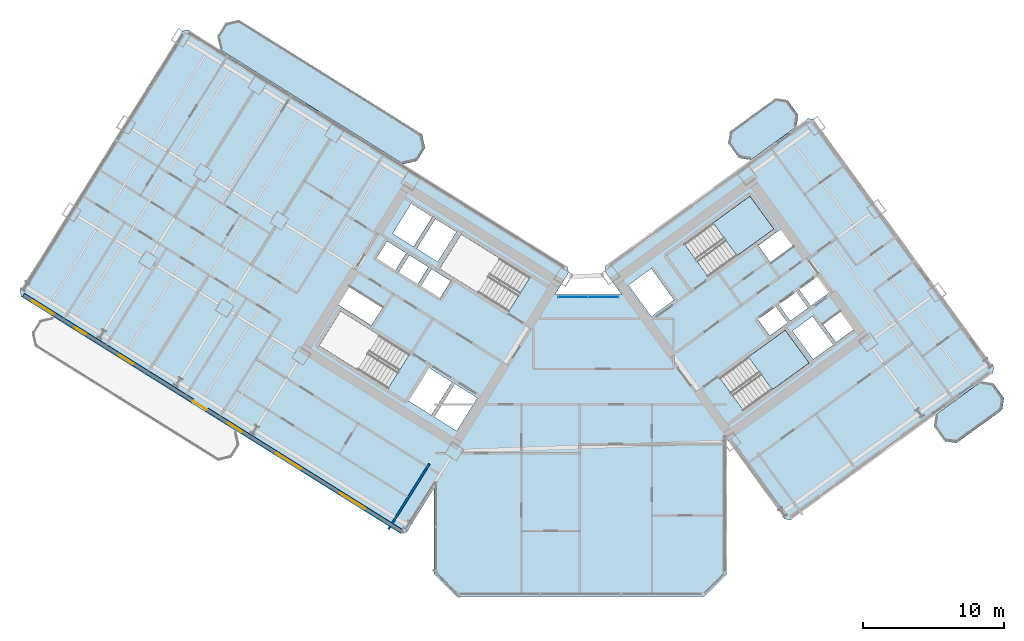
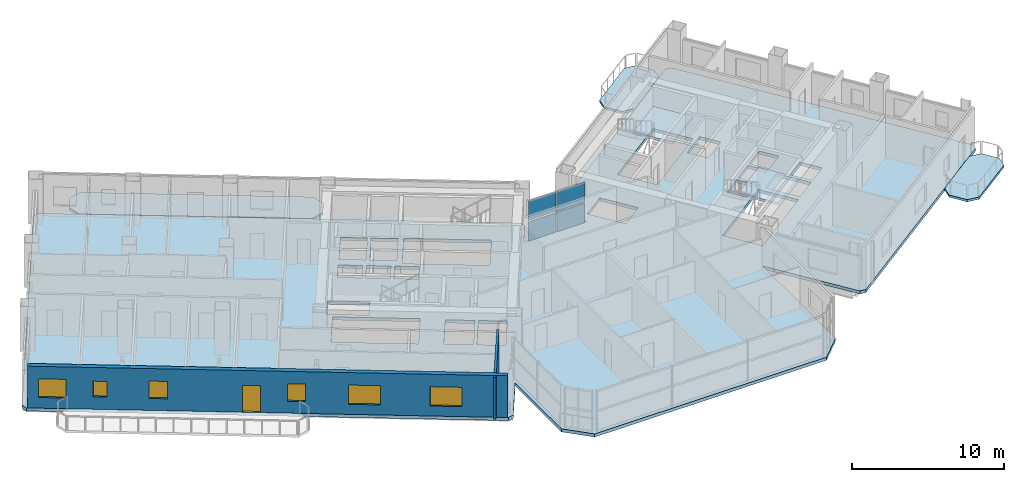
# One storey, part 14 of 28: 6 slabs, 6 windows, 4 plates, 2 walls, 1 door, 7 openings, 3 elements without a shape of their own.
"""IFC4 building model written with IfcOpenShell, lengths in metres."""

from ifc_helpers import new_model, si_unit, direction, frame, frame_2d, origin, origin_2d, place, context, subcontext, project, spatial, polyline, rectangle, outline, extrude, source, transform, mapped, material, layer, layer_set, type_object, element, fill, aggregate, save


model = new_model("IFC4")

# Units and contexts
model_context = context("Model", 3, precision=1e-05, world=origin(), true_north=direction((0.0, 1.0)))
body_context = subcontext(model_context, "Body", "Model", "MODEL_VIEW")
ifc_project = project(units=[si_unit("LENGTHUNIT", "METRE"), si_unit("AREAUNIT", "SQUARE_METRE"), si_unit("VOLUMEUNIT", "CUBIC_METRE"), si_unit("PLANEANGLEUNIT", "RADIAN"), si_unit("MASSUNIT", "GRAM", prefix="KILO")], contexts=[model_context])

# Site, building, storey
site_placement = place(None, origin())
site = spatial("IfcSite", under=ifc_project, at=site_placement, CompositionType="ELEMENT")
building_placement = place(site_placement, origin())
building = spatial("IfcBuilding", under=site, at=building_placement, Name="Tlacorven Tower", CompositionType="ELEMENT")
storey_placement = place(building_placement, frame((0.0, 0.0, 56.39990234375)))
storey = spatial("IfcBuildingStorey", under=building, at=storey_placement, Name="L14", CompositionType="ELEMENT", Elevation=56.39990234375)

# Slabs
ifc_material_1 = material(Name="Precast concrete C45/55", Category="concrete")
ifc_layer_1 = layer(ifc_material_1, 0.179931640625)
ifc_layer_set_1 = layer_set([ifc_layer_1], Name="Precast concrete C45/55")
slab_type_1 = type_object("IfcSlabType", Name="SL-BAL-180", PredefinedType="USERDEFINED", material=ifc_layer_set_1)
slab_1_placement = place(storey_placement, frame((0.0, 0.0, -0.179931640625)))
element("IfcSlab", 1, at=slab_1_placement, inside=storey, type_object=slab_type_1, Name="L14 West Wing Balcony Ribbon IN", ObjectType="BALCONY SLAB", PredefinedType="USERDEFINED", context=body_context, shape_type="SweptSolid", body=[
    extrude(outline(polyline([(30.756591796875, 34.57763671875), (17.781494140625, 42.685546875), (16.81689453125, 42.462890625), (16.236572265625, 41.5341796875), (16.459228515625, 40.569580078125), (29.434326171875, 32.4619140625), (30.39892578125, 32.6845703125), (30.979248046875, 33.613037109375), (30.756591796875, 34.57763671875)])), origin(), (0.0, 0.0, 1.0), 0.179931640625),
])
slab_2_placement = place(storey_placement, frame((0.0, 0.0, -0.179931640625)))
element("IfcSlab", 2, at=slab_2_placement, inside=storey, type_object=slab_type_1, Name="L14 East Wing Balcony Ribbon OUT", ObjectType="BALCONY SLAB", PredefinedType="USERDEFINED", context=body_context, shape_type="SweptSolid", body=[
    extrude(outline(polyline([(68.669921875, 12.678955078125), (71.906005859375, 15.0302734375), (72.03857421875, 15.8681640625), (71.27734375, 16.916015625), (70.439453125, 17.048583984375), (67.203369140625, 14.697509765625), (67.070556640625, 13.859375), (67.831787109375, 12.811767578125), (68.669921875, 12.678955078125)])), origin(), (0.0, 0.0, 1.0), 0.179931640625),
])
slab_3_placement = place(storey_placement, frame((0.0, 0.0, -0.179931640625)))
element("IfcSlab", 3, at=slab_3_placement, inside=storey, type_object=slab_type_1, Name="L14 East Wing Balcony Ribbon IN", ObjectType="BALCONY SLAB", PredefinedType="USERDEFINED", context=body_context, shape_type="SweptSolid", body=[
    extrude(outline(polyline([(54.078125, 32.762939453125), (57.314208984375, 35.114013671875), (57.44677734375, 35.9521484375), (56.685791015625, 36.999755859375), (55.84765625, 37.132568359375), (52.611572265625, 34.78125), (52.478759765625, 33.943359375), (53.239990234375, 32.8955078125), (54.078125, 32.762939453125)])), origin(), (0.0, 0.0, 1.0), 0.179931640625),
])

# Stair, slab
ifc_material_2 = material(Name="Concrete C40/50", Category="concrete")
stair_type = type_object("IfcStairType", Name="ST-CORE-DLG", PredefinedType="HALF_TURN_STAIR", material=ifc_material_2)
stair_1_placement = place(storey_placement, origin())
stair_1 = element("IfcStair", 4, at=stair_1_placement, inside=storey, type_object=stair_type, Name="L14 Protected Exit Stair East 1", PredefinedType="HALF_TURN_STAIR")
ifc_layer_2 = layer(ifc_material_2, 0.199951171875)
ifc_layer_set_2 = layer_set([ifc_layer_2], Name="Concrete C40/50")
slab_type_2 = type_object("IfcSlabType", Name="SL-LND-200", PredefinedType="LANDING", material=ifc_layer_set_2)
slab_4_placement = place(storey_placement, frame((0.0, 0.0, 1.60009765625)))
slab_4 = element("IfcSlab", 5, at=slab_4_placement, type_object=slab_type_2, Name="ST-E1 landing 1", PredefinedType="LANDING", context=body_context, shape_type="SweptSolid", body=[
    extrude(outline(polyline([(53.09765625, 25.962890625), (55.7109375, 27.861572265625), (54.01806640625, 30.19140625), (51.40478515625, 28.29296875), (53.09765625, 25.962890625)])), origin(), (0.0, 0.0, 1.0), 0.199951171875),
])
aggregate(stair_1, [slab_4])

stair_2_placement = place(storey_placement, origin())
stair_2 = element("IfcStair", 6, at=stair_2_placement, inside=storey, type_object=stair_type, Name="L14 Protected Exit Stair East 2", PredefinedType="HALF_TURN_STAIR")
slab_5_placement = place(storey_placement, frame((0.0, 0.0, 1.60009765625)))
slab_5 = element("IfcSlab", 7, at=slab_5_placement, type_object=slab_type_2, Name="ST-E2 landing 1", PredefinedType="LANDING", context=body_context, shape_type="SweptSolid", body=[
    extrude(outline(polyline([(55.601806640625, 16.4599609375), (58.21484375, 18.3583984375), (56.52197265625, 20.6884765625), (53.908935546875, 18.789794921875), (55.601806640625, 16.4599609375)])), origin(), (0.0, 0.0, 1.0), 0.199951171875),
])
aggregate(stair_2, [slab_5])

# Slab
ifc_layer_3 = layer(ifc_material_2, 0.25)
ifc_layer_set_3 = layer_set([ifc_layer_3], Name="Concrete C40/50")
slab_type_3 = type_object("IfcSlabType", Name="SL-TWR-250", PredefinedType="FLOOR", material=ifc_layer_set_3)
slab_6_placement = place(storey_placement, frame((0.0, 0.0, -0.25)))
element("IfcSlab", 8, at=slab_6_placement, inside=storey, type_object=slab_type_3, Name="L14 Boomerang Tower Floor Slab", PredefinedType="FLOOR", context=body_context, shape_type="SweptSolid", body=[
    extrude(outline(polyline([(52.39990234375, 3.39990234375), (50.800048828125, 1.800048828125), (33.199951171875, 1.800048828125), (31.60009765625, 3.39990234375), (31.60009765625, 9.470703125), (29.652587890625, 6.35400390625), (29.2392578125, 6.258544921875), (2.339111328125, 23.067626953125), (2.24365234375, 23.481201171875), (13.75341796875, 41.900634765625), (14.1669921875, 41.99609375), (41.06689453125, 25.18701171875), (41.162353515625, 24.773681640625), (40.178955078125, 23.199951171875), (44.932373046875, 23.199951171875), (43.723876953125, 24.86328125), (43.790283203125, 25.2822265625), (58.1259765625, 35.69775390625), (58.545166015625, 35.63134765625), (71.311767578125, 18.0595703125), (71.245361328125, 17.640380859375), (56.90966796875, 7.224853515625), (56.49072265625, 7.291259765625), (52.39990234375, 12.921630859375), (52.39990234375, 3.39990234375)]), holes=[polyline([(29.865478515625, 18.979736328125), (24.9892578125, 22.02685546875), (23.463134765625, 19.58447265625), (28.33935546875, 16.537353515625), (29.865478515625, 18.979736328125)]), polyline([(38.4169921875, 24.4375), (33.540771484375, 27.484375), (32.0146484375, 25.0419921875), (36.890869140625, 21.9951171875), (38.4169921875, 24.4375)]), polyline([(51.05908203125, 24.481689453125), (55.7109375, 27.861572265625), (54.01806640625, 30.19140625), (49.3662109375, 26.811767578125), (51.05908203125, 24.481689453125)]), polyline([(53.56298828125, 14.978759765625), (58.21484375, 18.3583984375), (56.52197265625, 20.6884765625), (51.8701171875, 17.30859375), (53.56298828125, 14.978759765625)]), polyline([(34.682373046875, 15.87548828125), (33.088134765625, 16.871826171875), (31.62548828125, 14.531005859375), (33.2197265625, 13.534912109375), (34.682373046875, 15.87548828125)]), polyline([(32.884521484375, 16.9990234375), (31.2392578125, 18.02685546875), (29.77685546875, 15.686279296875), (31.421875, 14.658203125), (32.884521484375, 16.9990234375)]), polyline([(47.0234375, 21.648681640625), (48.6416015625, 22.82421875), (47.019287109375, 25.05712890625), (45.401123046875, 23.881591796875), (47.0234375, 21.648681640625)]), polyline([(33.197265625, 27.65185546875), (31.704833984375, 28.58447265625), (30.3798828125, 26.46435546875), (31.87255859375, 25.53173828125), (33.197265625, 27.65185546875)]), polyline([(31.484375, 28.722412109375), (29.99169921875, 29.655029296875), (28.6669921875, 27.534912109375), (30.159423828125, 26.602294921875), (31.484375, 28.722412109375)]), polyline([(32.794921875, 24.17724609375), (31.43798828125, 25.025146484375), (30.685546875, 23.82080078125), (32.042236328125, 22.972900390625), (32.794921875, 24.17724609375)]), polyline([(31.217529296875, 25.162841796875), (29.860595703125, 26.0107421875), (29.108154296875, 24.806396484375), (30.465087890625, 23.958740234375), (31.217529296875, 25.162841796875)]), polyline([(29.64013671875, 26.1484375), (28.283203125, 26.996337890625), (27.53076171875, 25.792236328125), (28.8876953125, 24.9443359375), (29.64013671875, 26.1484375)]), polyline([(55.427734375, 20.288818359375), (56.68994140625, 21.205810546875), (55.855224609375, 22.354736328125), (54.59326171875, 21.437744140625), (55.427734375, 20.288818359375)]), polyline([(56.884033203125, 21.346923828125), (58.146240234375, 22.263916015625), (57.3115234375, 23.41259765625), (56.04931640625, 22.495849609375), (56.884033203125, 21.346923828125)]), polyline([(58.34033203125, 22.405029296875), (59.602294921875, 23.322021484375), (58.767578125, 24.470703125), (57.505615234375, 23.5537109375), (58.34033203125, 22.405029296875)]), polyline([(58.498779296875, 18.614013671875), (59.922607421875, 19.648681640625), (58.453125, 21.671142578125), (57.029296875, 20.63671875), (58.498779296875, 18.614013671875)]), polyline([(27.96142578125, 22.2919921875), (25.603759765625, 23.76513671875), (24.80908203125, 22.4931640625), (27.16650390625, 21.02001953125), (27.96142578125, 22.2919921875)]), polyline([(55.490478515625, 25.4765625), (57.092529296875, 26.640380859375), (56.210693359375, 27.85400390625), (54.60888671875, 26.690185546875), (55.490478515625, 25.4765625)]), polyline([(60.12109375, 19.817626953125), (61.38330078125, 20.734619140625), (60.45458984375, 22.012939453125), (59.192626953125, 21.095947265625), (60.12109375, 19.817626953125)])]), origin(), (0.0, 0.0, 1.0), 0.25),
])

# Curtain wall, plates
ifc_material_3 = material(Name="Dark solar low-E double glazing in aluminium frame", Category="aluminium")
curtain_wall_type = type_object("IfcCurtainWallType", Name="CW-TWR-LOW", PredefinedType="USERDEFINED", material=ifc_material_3)
curtain_wall_placement = place(storey_placement, origin())
curtain_wall = element("IfcCurtainWall", 9, at=curtain_wall_placement, inside=storey, type_object=curtain_wall_type, Name="L14 CW-TWR-LOW Curtain Wall 80", ObjectType="UNITISED CURTAIN WALL", PredefinedType="USERDEFINED")
ifc_material_4 = material(Name="Dark solar double low-E glazing", Category="glass")
ifc_layer_4 = layer(ifc_material_4, 0.031982421875)
ifc_layer_set_4 = layer_set([ifc_layer_4], Name="Dark solar double low-E glazing")
plate_type = type_object("IfcPlateType", Name="CWP-02", PredefinedType="CURTAIN_PANEL", material=ifc_layer_set_4)
shared_shape_1 = source(origin(), body_context, "Body", "SweptSolid", [
    extrude(rectangle(XDim=2.110595703125, YDim=0.031982421875, at=origin_2d()), origin(), (0.0, 0.0, 1.0), 1.552978515625),
])
plate_1_placement = place(storey_placement, frame((41.47802734375, 23.0400390625, 0.06103515625), z_axis=(0.0, 0.0, 1.0), x_axis=(1.0, 0.0, 0.0)))
plate_1 = element("IfcPlate", 10, at=plate_1_placement, type_object=plate_type, Name="CW-L14-080 Glazing Panel 1", PredefinedType="CURTAIN_PANEL", context=body_context, shape_type="MappedRepresentation", body=[
    mapped(shared_shape_1, transform((0.0, 0.0, 0.0), scale=1.0)),
])
plate_2_placement = place(storey_placement, frame((41.47802734375, 23.0400390625, 1.736328125), z_axis=(0.0, 0.0, 1.0), x_axis=(1.0, 0.0, 0.0)))
plate_2 = element("IfcPlate", 11, at=plate_2_placement, type_object=plate_type, Name="CW-L14-080 Glazing Panel 2", PredefinedType="CURTAIN_PANEL", context=body_context, shape_type="MappedRepresentation", body=[
    mapped(shared_shape_1, transform((0.0, 0.0, 0.0), scale=1.0)),
])
plate_3_placement = place(storey_placement, frame((43.640625, 23.0400390625, 0.06103515625), z_axis=(0.0, 0.0, 1.0), x_axis=(1.0, 0.0, 0.0)))
plate_3 = element("IfcPlate", 12, at=plate_3_placement, type_object=plate_type, Name="CW-L14-080 Glazing Panel 3", PredefinedType="CURTAIN_PANEL", context=body_context, shape_type="MappedRepresentation", body=[
    mapped(shared_shape_1, transform((0.0, 0.0, 0.0), scale=1.0)),
])
plate_4_placement = place(storey_placement, frame((43.640625, 23.0400390625, 1.736328125), z_axis=(0.0, 0.0, 1.0), x_axis=(1.0, 0.0, 0.0)))
plate_4 = element("IfcPlate", 13, at=plate_4_placement, type_object=plate_type, Name="CW-L14-080 Glazing Panel 4", PredefinedType="CURTAIN_PANEL", context=body_context, shape_type="MappedRepresentation", body=[
    mapped(shared_shape_1, transform((0.0, 0.0, 0.0), scale=1.0)),
])
aggregate(curtain_wall, [plate_1, plate_2, plate_3, plate_4])

# Wall
ifc_material_5 = material(Name="Gypsum plasterboard acoustic partition", Category="gypsum")
ifc_layer_5 = layer(ifc_material_5, 0.159912109375)
ifc_layer_set_5 = layer_set([ifc_layer_5], Name="Gypsum plasterboard acoustic partition")
wall_type_1 = type_object("IfcWallType", Name="WL-DEM-160", PredefinedType="PARTITIONING", material=ifc_layer_set_5)
wall_1_placement = place(storey_placement, frame((31.282470703125, 11.2080078125, 0.0), z_axis=(0.0, 0.0, 1.0), x_axis=(-0.529938869374, -0.84803584519, 0.0)))
element("IfcWall", 14, at=wall_1_placement, inside=storey, type_object=wall_type_1, Name="L14 WC West Throat Wall", PredefinedType="PARTITIONING", context=body_context, shape_type="SweptSolid", body=[
    extrude(rectangle(XDim=5.47998046875, YDim=0.159912109375, at=frame_2d((2.739990234375, 0.0))), origin(), (0.0, 0.0, 1.0), 3.340087890625),
])

# Wall, openings, door, windows
ifc_layer_6 = layer(ifc_material_1, 0.320068359375)
ifc_layer_set_6 = layer_set([ifc_layer_6], Name="Precast concrete C45/55")
wall_type_2 = type_object("IfcWallType", Name="WL-EXT-320", PredefinedType="STANDARD", material=ifc_layer_set_6)
wall_2_placement = place(storey_placement, frame((29.267822265625, 6.429443359375, 0.0), z_axis=(0.0, 0.0, 1.0), x_axis=(-0.848049971435, 0.529916263149, 0.0)))
wall_2 = element("IfcWall", 15, at=wall_2_placement, inside=storey, type_object=wall_type_2, Name="L14 Masonry-Frame Recessed Facade Wall 1", PredefinedType="STANDARD", context=body_context, shape_type="SweptSolid", body=[
    extrude(rectangle(XDim=31.587646484375, YDim=0.320068359375, at=frame_2d((15.7939453125, 0.0))), origin(), (0.0, 0.0, 1.0), 3.35009765625),
])
opening_1_placement = place(wall_2_placement, frame((16.234619140625, 0.0, 0.0)))
opening_1 = element("IfcOpeningElement", 16, at=opening_1_placement, cuts=wall_2, Name="Opening D05", PredefinedType="OPENING", context=body_context, shape_type="SweptSolid", body=[
    extrude(rectangle(XDim=1.199951171875, YDim=2.14990234375, at=frame_2d((0.60009765625, 1.074951171875))), frame((0.0, 0.169921875, 0.0), z_axis=(0.0, -1.0, 0.0), x_axis=(1.0, 0.0, 0.0)), (0.0, 0.0, 1.0), 0.340087890625),
])
opening_2_placement = place(wall_2_placement, frame((2.98876953125, 0.0, 0.800048828125)))
opening_2 = element("IfcOpeningElement", 17, at=opening_2_placement, cuts=wall_2, Name="Opening WN04", PredefinedType="OPENING", context=body_context, shape_type="SweptSolid", body=[
    extrude(rectangle(XDim=2.10009765625, YDim=1.550048828125, at=frame_2d((1.050048828125, 0.77490234375))), frame((0.0, 0.169921875, 0.0), z_axis=(0.0, -1.0, 0.0), x_axis=(1.0, 0.0, 0.0)), (0.0, 0.0, 1.0), 0.340087890625),
])
opening_3_placement = place(wall_2_placement, frame((8.358642578125, 0.0, 0.800048828125)))
opening_3 = element("IfcOpeningElement", 18, at=opening_3_placement, cuts=wall_2, Name="Opening WN04", PredefinedType="OPENING", context=body_context, shape_type="SweptSolid", body=[
    extrude(rectangle(XDim=2.10009765625, YDim=1.550048828125, at=frame_2d((1.050048828125, 0.77490234375))), frame((0.0, 0.169921875, 0.0), z_axis=(0.0, -1.0, 0.0), x_axis=(1.0, 0.0, 0.0)), (0.0, 0.0, 1.0), 0.340087890625),
])
opening_4_placement = place(wall_2_placement, frame((13.28369140625, 0.0, 0.949951171875)))
opening_4 = element("IfcOpeningElement", 19, at=opening_4_placement, cuts=wall_2, Name="Opening WN03", PredefinedType="OPENING", context=body_context, shape_type="SweptSolid", body=[
    extrude(rectangle(XDim=1.199951171875, YDim=1.39990234375, at=frame_2d((0.60009765625, 0.699951171875))), frame((0.0, 0.169921875, 0.0), z_axis=(0.0, -1.0, 0.0), x_axis=(1.0, 0.0, 0.0)), (0.0, 0.0, 1.0), 0.340087890625),
])
opening_5_placement = place(wall_2_placement, frame((22.374267578125, 0.0, 0.949951171875)))
opening_5 = element("IfcOpeningElement", 20, at=opening_5_placement, cuts=wall_2, Name="Opening WN03", PredefinedType="OPENING", context=body_context, shape_type="SweptSolid", body=[
    extrude(rectangle(XDim=1.199951171875, YDim=1.39990234375, at=frame_2d((0.60009765625, 0.699951171875))), frame((0.0, 0.169921875, 0.0), z_axis=(0.0, -1.0, 0.0), x_axis=(1.0, 0.0, 0.0)), (0.0, 0.0, 1.0), 0.340087890625),
])
opening_6_placement = place(wall_2_placement, frame((26.3505859375, 0.0, 1.0)))
opening_6 = element("IfcOpeningElement", 21, at=opening_6_placement, cuts=wall_2, Name="Opening WN05", PredefinedType="OPENING", context=body_context, shape_type="SweptSolid", body=[
    extrude(rectangle(XDim=0.89990234375, YDim=1.25, at=frame_2d((0.449951171875, 0.625))), frame((0.0, 0.169921875, 0.0), z_axis=(0.0, -1.0, 0.0), x_axis=(1.0, 0.0, 0.0)), (0.0, 0.0, 1.0), 0.340087890625),
])
opening_7_placement = place(wall_2_placement, frame((29.052490234375, 0.0, 0.85009765625)))
opening_7 = element("IfcOpeningElement", 22, at=opening_7_placement, cuts=wall_2, Name="Opening WN01", PredefinedType="OPENING", context=body_context, shape_type="SweptSolid", body=[
    extrude(rectangle(XDim=1.800048828125, YDim=1.5, at=frame_2d((0.89990234375, 0.75))), frame((0.0, 0.169921875, 0.0), z_axis=(0.0, -1.0, 0.0), x_axis=(1.0, 0.0, 0.0)), (0.0, 0.0, 1.0), 0.340087890625),
])
ifc_material_6 = material(Name="Powder-coated aluminium and timber door", Category="wood")
door_type = type_object("IfcDoorType", Name="DR-EXT-BALC-1200", OperationType="NOTDEFINED", PredefinedType="DOOR", material=ifc_material_6)
shared_shape_2 = source(origin(), body_context, "Body", "SweptSolid", [
    extrude(rectangle(XDim=1.199951171875, YDim=2.14990234375, at=frame_2d((0.60009765625, 1.074951171875))), frame((0.0, 0.02490234375, 0.0), z_axis=(0.0, -1.0, 0.0), x_axis=(1.0, 0.0, 0.0)), (0.0, 0.0, 1.0), 0.050048828125),
])
door_placement = place(opening_1_placement, origin())
door = element("IfcDoor", 23, at=door_placement, inside=storey, type_object=door_type, Name="L14 Outdoor Access Door BAL-L14-W-OUT", OperationType="SINGLE_SWING_LEFT", OverallHeight=2.14990234375, OverallWidth=1.199951171875, PredefinedType="DOOR", context=body_context, shape_type="MappedRepresentation", body=[
    mapped(shared_shape_2, transform((0.0, 0.0, 0.0), scale=1.0)),
])
fill(opening_1, door)
ifc_material_7 = material(Name="Dark solar low-E double glazing in anodised aluminium frame", Category="aluminium")
window_type_1 = type_object("IfcWindowType", Name="WN-APT-2100X1750", PartitioningType="SINGLE_PANEL", PredefinedType="WINDOW", material=ifc_material_7)
shared_shape_3 = source(origin(), body_context, "Body", "SweptSolid", [
    extrude(rectangle(XDim=2.10009765625, YDim=1.550048828125, at=frame_2d((1.050048828125, 0.77490234375))), frame((0.0, 0.030029296875, 0.0), z_axis=(0.0, -1.0, 0.0), x_axis=(1.0, 0.0, 0.0)), (0.0, 0.0, 1.0), 0.06005859375),
])
window_1_placement = place(opening_2_placement, origin())
window_1 = element("IfcWindow", 24, at=window_1_placement, inside=storey, type_object=window_type_1, Name="L14 Recessed Masonry-Frame Window L14-01.1", OverallHeight=1.550048828125, OverallWidth=2.10009765625, PartitioningType="SINGLE_PANEL", PredefinedType="WINDOW", context=body_context, shape_type="MappedRepresentation", body=[
    mapped(shared_shape_3, transform((0.0, 0.0, 0.0), scale=1.0)),
])
fill(opening_2, window_1)
window_2_placement = place(opening_3_placement, origin())
window_2 = element("IfcWindow", 25, at=window_2_placement, inside=storey, type_object=window_type_1, Name="L14 Recessed Masonry-Frame Window L14-01.2", OverallHeight=1.550048828125, OverallWidth=2.10009765625, PartitioningType="SINGLE_PANEL", PredefinedType="WINDOW", context=body_context, shape_type="MappedRepresentation", body=[
    mapped(shared_shape_3, transform((0.0, 0.0, 0.0), scale=1.0)),
])
fill(opening_3, window_2)
window_type_2 = type_object("IfcWindowType", Name="WN-APT-1200X1500", PartitioningType="SINGLE_PANEL", PredefinedType="WINDOW", material=ifc_material_7)
shared_shape_4 = source(origin(), body_context, "Body", "SweptSolid", [
    extrude(rectangle(XDim=1.199951171875, YDim=1.39990234375, at=frame_2d((0.60009765625, 0.699951171875))), frame((0.0, 0.030029296875, 0.0), z_axis=(0.0, -1.0, 0.0), x_axis=(1.0, 0.0, 0.0)), (0.0, 0.0, 1.0), 0.06005859375),
])
window_3_placement = place(opening_4_placement, origin())
window_3 = element("IfcWindow", 26, at=window_3_placement, inside=storey, type_object=window_type_2, Name="L14 Recessed Masonry-Frame Window L14-01.3", OverallHeight=1.39990234375, OverallWidth=1.199951171875, PartitioningType="SINGLE_PANEL", PredefinedType="WINDOW", context=body_context, shape_type="MappedRepresentation", body=[
    mapped(shared_shape_4, transform((0.0, 0.0, 0.0), scale=1.0)),
])
fill(opening_4, window_3)
window_4_placement = place(opening_5_placement, origin())
window_4 = element("IfcWindow", 27, at=window_4_placement, inside=storey, type_object=window_type_2, Name="L14 Recessed Masonry-Frame Window L14-01.4", OverallHeight=1.39990234375, OverallWidth=1.199951171875, PartitioningType="SINGLE_PANEL", PredefinedType="WINDOW", context=body_context, shape_type="MappedRepresentation", body=[
    mapped(shared_shape_4, transform((0.0, 0.0, 0.0), scale=1.0)),
])
fill(opening_5, window_4)
window_type_3 = type_object("IfcWindowType", Name="WN-APT-1800X1650", PartitioningType="SINGLE_PANEL", PredefinedType="WINDOW", material=ifc_material_7)
shared_shape_5 = source(origin(), body_context, "Body", "SweptSolid", [
    extrude(rectangle(XDim=1.800048828125, YDim=1.5, at=frame_2d((0.89990234375, 0.75))), frame((0.0, 0.030029296875, 0.0), z_axis=(0.0, -1.0, 0.0), x_axis=(1.0, 0.0, 0.0)), (0.0, 0.0, 1.0), 0.06005859375),
])
window_5_placement = place(opening_7_placement, origin())
window_5 = element("IfcWindow", 28, at=window_5_placement, inside=storey, type_object=window_type_3, Name="L14 Recessed Masonry-Frame Window L14-01.6", OverallHeight=1.5, OverallWidth=1.800048828125, PartitioningType="SINGLE_PANEL", PredefinedType="WINDOW", context=body_context, shape_type="MappedRepresentation", body=[
    mapped(shared_shape_5, transform((0.0, 0.0, 0.0), scale=1.0)),
])
fill(opening_7, window_5)
window_type_4 = type_object("IfcWindowType", Name="WN-APT-0900X1350", PartitioningType="SINGLE_PANEL", PredefinedType="WINDOW", material=ifc_material_7)
shared_shape_6 = source(origin(), body_context, "Body", "SweptSolid", [
    extrude(rectangle(XDim=0.89990234375, YDim=1.25, at=frame_2d((0.449951171875, 0.625))), frame((0.0, 0.030029296875, 0.0), z_axis=(0.0, -1.0, 0.0), x_axis=(1.0, 0.0, 0.0)), (0.0, 0.0, 1.0), 0.06005859375),
])
window_6_placement = place(opening_6_placement, origin())
window_6 = element("IfcWindow", 29, at=window_6_placement, inside=storey, type_object=window_type_4, Name="L14 Recessed Masonry-Frame Window L14-01.5", OverallHeight=1.25, OverallWidth=0.89990234375, PartitioningType="SINGLE_PANEL", PredefinedType="WINDOW", context=body_context, shape_type="MappedRepresentation", body=[
    mapped(shared_shape_6, transform((0.0, 0.0, 0.0), scale=1.0)),
])
fill(opening_6, window_6)

save(model, "model.ifc")
